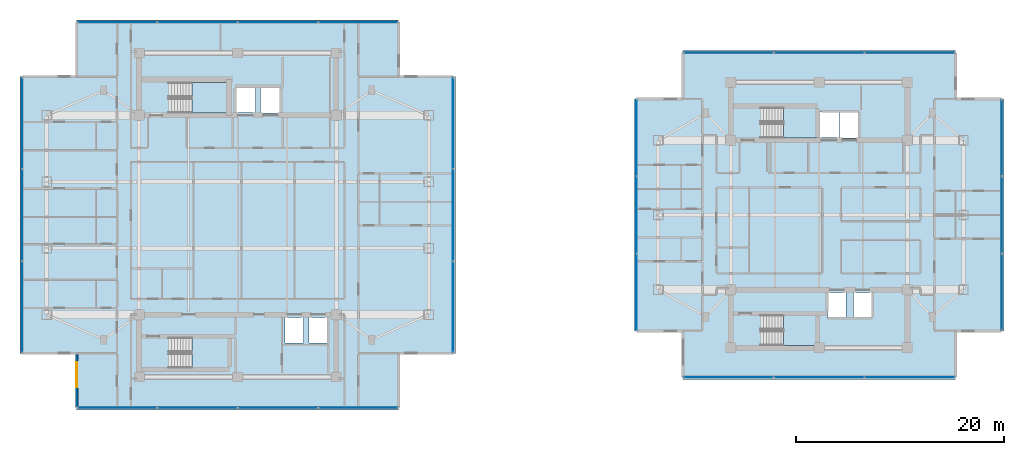
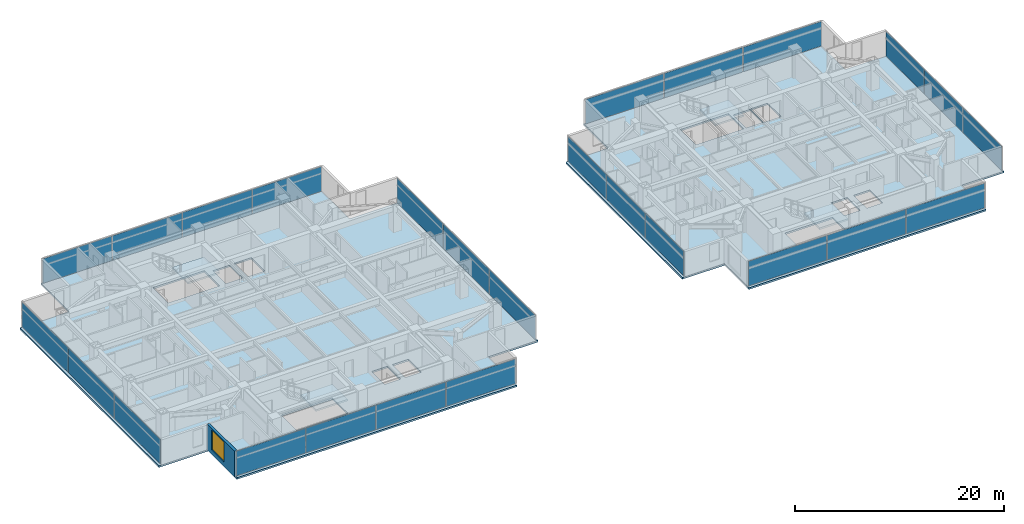
# One storey, part 11 of 24: 26 plates, 6 slabs, 1 wall, 1 window, 1 opening, 12 elements without a shape of their own.
"""IFC4 building model written with IfcOpenShell, lengths in metres."""

from ifc_helpers import new_model, si_unit, direction, frame, frame_2d, origin, origin_2d, place, context, subcontext, project, spatial, polyline, rectangle, outline, extrude, material, layer, layer_set, type_object, element, fill, aggregate, save


model = new_model("IFC4")

# Units and contexts
model_context = context("Model", 3, precision=1e-05, world=origin(), true_north=direction((0.0, 1.0)))
body_context = subcontext(model_context, "Body", "Model", "MODEL_VIEW")
ifc_project = project(units=[si_unit("LENGTHUNIT", "METRE"), si_unit("AREAUNIT", "SQUARE_METRE"), si_unit("VOLUMEUNIT", "CUBIC_METRE"), si_unit("PLANEANGLEUNIT", "RADIAN"), si_unit("MASSUNIT", "GRAM", prefix="KILO")], contexts=[model_context])

# Site, building, storey
site_placement = place(None, origin())
site = spatial("IfcSite", under=ifc_project, at=site_placement, CompositionType="ELEMENT")
building_placement = place(site_placement, origin())
building = spatial("IfcBuilding", under=site, at=building_placement, Name="Mirazonda Arch Towers", CompositionType="ELEMENT")
storey_placement = place(building_placement, frame((0.0, 0.0, 167.39990234375)))
storey = spatial("IfcBuildingStorey", under=building, at=storey_placement, Name="L47", CompositionType="ELEMENT", Elevation=167.39990234375)

# Curtain wall, plates
ifc_material_1 = material(Name="Anodised Aluminium and Low-E Glass", Category="aluminium")
curtain_wall_type = type_object("IfcCurtainWallType", Name="CW-RES-UNIT", PredefinedType="NOTDEFINED", material=ifc_material_1)
curtain_wall_1_placement = place(storey_placement, origin())
curtain_wall_1 = element("IfcCurtainWall", 1, at=curtain_wall_1_placement, inside=storey, type_object=curtain_wall_type, Name="L47 T1 S Facade CW-L47-T1-S", PredefinedType="NOTDEFINED")
ifc_material_2 = material(Name="Insulated Low-E Solar Glass", Category="glass")
ifc_layer_1 = layer(ifc_material_2, 0.0400390625, Name="PAN-CW-RES-UNIT")
ifc_layer_set_1 = layer_set([ifc_layer_1], Name="Insulated Low-E Solar Glass")
plate_type = type_object("IfcPlateType", Name="PAN-CW-RES-UNIT", PredefinedType="CURTAIN_PANEL", material=ifc_layer_set_1)
plate_1_placement = place(storey_placement, frame((32.110107421875, 9.43798828125, 0.0751953125), z_axis=(0.0, 0.0, 1.0), x_axis=(-1.0, 0.0, 0.0)))
plate_1 = element("IfcPlate", 2, at=plate_1_placement, type_object=plate_type, Name="CW-104 panel 1.1", PredefinedType="CURTAIN_PANEL", context=body_context, shape_type="SweptSolid", body=[
    extrude(rectangle(XDim=7.639892578125, YDim=0.0400390625, at=origin_2d()), origin(), (0.0, 0.0, 1.0), 2.8798828125),
])
plate_2_placement = place(storey_placement, frame((24.376220703125, 9.43798828125, 0.0751953125), z_axis=(0.0, 0.0, 1.0), x_axis=(-1.0, 0.0, 0.0)))
plate_2 = element("IfcPlate", 3, at=plate_2_placement, type_object=plate_type, Name="CW-104 panel 2.1", PredefinedType="CURTAIN_PANEL", context=body_context, shape_type="SweptSolid", body=[
    extrude(rectangle(XDim=7.677490234375, YDim=0.0400390625, at=origin_2d()), origin(), (0.0, 0.0, 1.0), 2.8798828125),
])
plate_3_placement = place(storey_placement, frame((16.623779296875, 9.43798828125, 0.0751953125), z_axis=(0.0, 0.0, 1.0), x_axis=(-1.0, 0.0, 0.0)))
plate_3 = element("IfcPlate", 4, at=plate_3_placement, type_object=plate_type, Name="CW-104 panel 3.1", PredefinedType="CURTAIN_PANEL", context=body_context, shape_type="SweptSolid", body=[
    extrude(rectangle(XDim=7.677490234375, YDim=0.0400390625, at=origin_2d()), origin(), (0.0, 0.0, 1.0), 2.8798828125),
])
plate_4_placement = place(storey_placement, frame((8.889892578125, 9.43798828125, 0.0751953125), z_axis=(0.0, 0.0, 1.0), x_axis=(-1.0, 0.0, 0.0)))
plate_4 = element("IfcPlate", 5, at=plate_4_placement, type_object=plate_type, Name="CW-104 panel 4.1", PredefinedType="CURTAIN_PANEL", context=body_context, shape_type="SweptSolid", body=[
    extrude(rectangle(XDim=7.639892578125, YDim=0.0400390625, at=origin_2d()), origin(), (0.0, 0.0, 1.0), 2.8798828125),
])
aggregate(curtain_wall_1, [plate_1, plate_2, plate_3, plate_4])

curtain_wall_2_placement = place(storey_placement, origin())
curtain_wall_2 = element("IfcCurtainWall", 6, at=curtain_wall_2_placement, inside=storey, type_object=curtain_wall_type, Name="L47 T1 E Facade CW-L47-T1-E", PredefinedType="NOTDEFINED")
plate_5_placement = place(storey_placement, frame((41.25, 19.140869140625, 0.0751953125), z_axis=(0.0, 0.0, 1.0), x_axis=(0.0, 1.0, 0.0)))
plate_5 = element("IfcPlate", 7, at=plate_5_placement, type_object=plate_type, Name="CW-104 panel 1.1", PredefinedType="CURTAIN_PANEL", context=body_context, shape_type="SweptSolid", body=[
    extrude(rectangle(XDim=8.765380859375, YDim=0.0400390625, at=origin_2d()), origin(), (0.0, 0.0, 1.0), 2.8798828125),
])
plate_6_placement = place(storey_placement, frame((41.25, 28.0, 0.0751953125), z_axis=(0.0, 0.0, 1.0), x_axis=(0.0, 1.0, 0.0)))
plate_6 = element("IfcPlate", 8, at=plate_6_placement, type_object=plate_type, Name="CW-104 panel 2.1", PredefinedType="CURTAIN_PANEL", context=body_context, shape_type="SweptSolid", body=[
    extrude(rectangle(XDim=8.802978515625, YDim=0.0400390625, at=origin_2d()), origin(), (0.0, 0.0, 1.0), 2.8798828125),
])
plate_7_placement = place(storey_placement, frame((41.25, 36.859130859375, 0.0751953125), z_axis=(0.0, 0.0, 1.0), x_axis=(0.0, 1.0, 0.0)))
plate_7 = element("IfcPlate", 9, at=plate_7_placement, type_object=plate_type, Name="CW-104 panel 3.1", PredefinedType="CURTAIN_PANEL", context=body_context, shape_type="SweptSolid", body=[
    extrude(rectangle(XDim=8.765380859375, YDim=0.0400390625, at=origin_2d()), origin(), (0.0, 0.0, 1.0), 2.8798828125),
])
aggregate(curtain_wall_2, [plate_5, plate_6, plate_7])

curtain_wall_3_placement = place(storey_placement, origin())
curtain_wall_3 = element("IfcCurtainWall", 10, at=curtain_wall_3_placement, inside=storey, type_object=curtain_wall_type, Name="L47 T1 N Facade CW-L47-T1-N", PredefinedType="NOTDEFINED")
plate_8_placement = place(storey_placement, frame((8.889892578125, 46.56201171875, 0.0751953125), z_axis=(0.0, 0.0, 1.0), x_axis=(1.0, 0.0, 0.0)))
plate_8 = element("IfcPlate", 11, at=plate_8_placement, type_object=plate_type, Name="CW-104 panel 1.1", PredefinedType="CURTAIN_PANEL", context=body_context, shape_type="SweptSolid", body=[
    extrude(rectangle(XDim=7.639892578125, YDim=0.0400390625, at=origin_2d()), origin(), (0.0, 0.0, 1.0), 2.8798828125),
])
plate_9_placement = place(storey_placement, frame((16.623779296875, 46.56201171875, 0.0751953125), z_axis=(0.0, 0.0, 1.0), x_axis=(1.0, 0.0, 0.0)))
plate_9 = element("IfcPlate", 12, at=plate_9_placement, type_object=plate_type, Name="CW-104 panel 2.1", PredefinedType="CURTAIN_PANEL", context=body_context, shape_type="SweptSolid", body=[
    extrude(rectangle(XDim=7.677490234375, YDim=0.0400390625, at=origin_2d()), origin(), (0.0, 0.0, 1.0), 2.8798828125),
])
plate_10_placement = place(storey_placement, frame((24.376220703125, 46.56201171875, 0.0751953125), z_axis=(0.0, 0.0, 1.0), x_axis=(1.0, 0.0, 0.0)))
plate_10 = element("IfcPlate", 13, at=plate_10_placement, type_object=plate_type, Name="CW-104 panel 3.1", PredefinedType="CURTAIN_PANEL", context=body_context, shape_type="SweptSolid", body=[
    extrude(rectangle(XDim=7.677490234375, YDim=0.0400390625, at=origin_2d()), origin(), (0.0, 0.0, 1.0), 2.8798828125),
])
plate_11_placement = place(storey_placement, frame((32.110107421875, 46.56201171875, 0.0751953125), z_axis=(0.0, 0.0, 1.0), x_axis=(1.0, 0.0, 0.0)))
plate_11 = element("IfcPlate", 14, at=plate_11_placement, type_object=plate_type, Name="CW-104 panel 4.1", PredefinedType="CURTAIN_PANEL", context=body_context, shape_type="SweptSolid", body=[
    extrude(rectangle(XDim=7.639892578125, YDim=0.0400390625, at=origin_2d()), origin(), (0.0, 0.0, 1.0), 2.8798828125),
])
aggregate(curtain_wall_3, [plate_8, plate_9, plate_10, plate_11])

curtain_wall_4_placement = place(storey_placement, origin())
curtain_wall_4 = element("IfcCurtainWall", 15, at=curtain_wall_4_placement, inside=storey, type_object=curtain_wall_type, Name="L47 T1 W Facade CW-L47-T1-W", PredefinedType="NOTDEFINED")
plate_12_placement = place(storey_placement, frame((-0.25, 36.859130859375, 0.0751953125), z_axis=(0.0, 0.0, 1.0), x_axis=(0.0, -1.0, 0.0)))
plate_12 = element("IfcPlate", 16, at=plate_12_placement, type_object=plate_type, Name="CW-104 panel 1.1", PredefinedType="CURTAIN_PANEL", context=body_context, shape_type="SweptSolid", body=[
    extrude(rectangle(XDim=8.765380859375, YDim=0.0400390625, at=origin_2d()), origin(), (0.0, 0.0, 1.0), 2.8798828125),
])
plate_13_placement = place(storey_placement, frame((-0.25, 28.0, 0.0751953125), z_axis=(0.0, 0.0, 1.0), x_axis=(0.0, -1.0, 0.0)))
plate_13 = element("IfcPlate", 17, at=plate_13_placement, type_object=plate_type, Name="CW-104 panel 2.1", PredefinedType="CURTAIN_PANEL", context=body_context, shape_type="SweptSolid", body=[
    extrude(rectangle(XDim=8.802978515625, YDim=0.0400390625, at=origin_2d()), origin(), (0.0, 0.0, 1.0), 2.8798828125),
])
plate_14_placement = place(storey_placement, frame((-0.25, 19.140869140625, 0.0751953125), z_axis=(0.0, 0.0, 1.0), x_axis=(0.0, -1.0, 0.0)))
plate_14 = element("IfcPlate", 18, at=plate_14_placement, type_object=plate_type, Name="CW-104 panel 3.1", PredefinedType="CURTAIN_PANEL", context=body_context, shape_type="SweptSolid", body=[
    extrude(rectangle(XDim=8.765380859375, YDim=0.0400390625, at=origin_2d()), origin(), (0.0, 0.0, 1.0), 2.8798828125),
])
aggregate(curtain_wall_4, [plate_12, plate_13, plate_14])

curtain_wall_5_placement = place(storey_placement, origin())
curtain_wall_5 = element("IfcCurtainWall", 19, at=curtain_wall_5_placement, inside=storey, type_object=curtain_wall_type, Name="L47 T2 S Facade CW-L47-T2-S", PredefinedType="NOTDEFINED")
plate_15_placement = place(storey_placement, frame((85.2275390625, 12.375244140625, 0.0751953125), z_axis=(0.0, 0.0, 1.0), x_axis=(-1.0, 0.0, 0.0)))
plate_15 = element("IfcPlate", 20, at=plate_15_placement, type_object=plate_type, Name="CW-104 panel 1.1", PredefinedType="CURTAIN_PANEL", context=body_context, shape_type="SweptSolid", body=[
    extrude(rectangle(XDim=8.6337890625, YDim=0.0400390625, at=origin_2d()), origin(), (0.0, 0.0, 1.0), 2.8798828125),
])
plate_16_placement = place(storey_placement, frame((76.5, 12.375244140625, 0.0751953125), z_axis=(0.0, 0.0, 1.0), x_axis=(-1.0, 0.0, 0.0)))
plate_16 = element("IfcPlate", 21, at=plate_16_placement, type_object=plate_type, Name="CW-104 panel 2.1", PredefinedType="CURTAIN_PANEL", context=body_context, shape_type="SweptSolid", body=[
    extrude(rectangle(XDim=8.671142578125, YDim=0.0400390625, at=origin_2d()), origin(), (0.0, 0.0, 1.0), 2.8798828125),
])
plate_17_placement = place(storey_placement, frame((67.7724609375, 12.375244140625, 0.0751953125), z_axis=(0.0, 0.0, 1.0), x_axis=(-1.0, 0.0, 0.0)))
plate_17 = element("IfcPlate", 22, at=plate_17_placement, type_object=plate_type, Name="CW-104 panel 3.1", PredefinedType="CURTAIN_PANEL", context=body_context, shape_type="SweptSolid", body=[
    extrude(rectangle(XDim=8.6337890625, YDim=0.0400390625, at=origin_2d()), origin(), (0.0, 0.0, 1.0), 2.8798828125),
])
aggregate(curtain_wall_5, [plate_15, plate_16, plate_17])

curtain_wall_6_placement = place(storey_placement, origin())
curtain_wall_6 = element("IfcCurtainWall", 23, at=curtain_wall_6_placement, inside=storey, type_object=curtain_wall_type, Name="L47 T2 E Facade CW-L47-T2-E", PredefinedType="NOTDEFINED")
plate_18_placement = place(storey_placement, frame((94.08447265625, 20.5791015625, 0.0751953125), z_axis=(0.0, 0.0, 1.0), x_axis=(0.0, 1.0, 0.0)))
plate_18 = element("IfcPlate", 24, at=plate_18_placement, type_object=plate_type, Name="CW-104 panel 1.1", PredefinedType="CURTAIN_PANEL", context=body_context, shape_type="SweptSolid", body=[
    extrude(rectangle(XDim=7.3271484375, YDim=0.0400390625, at=origin_2d()), origin(), (0.0, 0.0, 1.0), 2.8798828125),
])
plate_19_placement = place(storey_placement, frame((94.08447265625, 28.0, 0.0751953125), z_axis=(0.0, 0.0, 1.0), x_axis=(0.0, 1.0, 0.0)))
plate_19 = element("IfcPlate", 25, at=plate_19_placement, type_object=plate_type, Name="CW-104 panel 2.1", PredefinedType="CURTAIN_PANEL", context=body_context, shape_type="SweptSolid", body=[
    extrude(rectangle(XDim=7.36474609375, YDim=0.0400390625, at=origin_2d()), origin(), (0.0, 0.0, 1.0), 2.8798828125),
])
plate_20_placement = place(storey_placement, frame((94.08447265625, 35.4208984375, 0.0751953125), z_axis=(0.0, 0.0, 1.0), x_axis=(0.0, 1.0, 0.0)))
plate_20 = element("IfcPlate", 26, at=plate_20_placement, type_object=plate_type, Name="CW-104 panel 3.1", PredefinedType="CURTAIN_PANEL", context=body_context, shape_type="SweptSolid", body=[
    extrude(rectangle(XDim=7.3271484375, YDim=0.0400390625, at=origin_2d()), origin(), (0.0, 0.0, 1.0), 2.8798828125),
])
aggregate(curtain_wall_6, [plate_18, plate_19, plate_20])

curtain_wall_7_placement = place(storey_placement, origin())
curtain_wall_7 = element("IfcCurtainWall", 27, at=curtain_wall_7_placement, inside=storey, type_object=curtain_wall_type, Name="L47 T2 N Facade CW-L47-T2-N", PredefinedType="NOTDEFINED")
plate_21_placement = place(storey_placement, frame((67.7724609375, 43.624755859375, 0.0751953125), z_axis=(0.0, 0.0, 1.0), x_axis=(1.0, 0.0, 0.0)))
plate_21 = element("IfcPlate", 28, at=plate_21_placement, type_object=plate_type, Name="CW-104 panel 1.1", PredefinedType="CURTAIN_PANEL", context=body_context, shape_type="SweptSolid", body=[
    extrude(rectangle(XDim=8.6337890625, YDim=0.0400390625, at=origin_2d()), origin(), (0.0, 0.0, 1.0), 2.8798828125),
])
plate_22_placement = place(storey_placement, frame((76.5, 43.624755859375, 0.0751953125), z_axis=(0.0, 0.0, 1.0), x_axis=(1.0, 0.0, 0.0)))
plate_22 = element("IfcPlate", 29, at=plate_22_placement, type_object=plate_type, Name="CW-104 panel 2.1", PredefinedType="CURTAIN_PANEL", context=body_context, shape_type="SweptSolid", body=[
    extrude(rectangle(XDim=8.671142578125, YDim=0.0400390625, at=origin_2d()), origin(), (0.0, 0.0, 1.0), 2.8798828125),
])
plate_23_placement = place(storey_placement, frame((85.2275390625, 43.624755859375, 0.0751953125), z_axis=(0.0, 0.0, 1.0), x_axis=(1.0, 0.0, 0.0)))
plate_23 = element("IfcPlate", 30, at=plate_23_placement, type_object=plate_type, Name="CW-104 panel 3.1", PredefinedType="CURTAIN_PANEL", context=body_context, shape_type="SweptSolid", body=[
    extrude(rectangle(XDim=8.6337890625, YDim=0.0400390625, at=origin_2d()), origin(), (0.0, 0.0, 1.0), 2.8798828125),
])
aggregate(curtain_wall_7, [plate_21, plate_22, plate_23])

curtain_wall_8_placement = place(storey_placement, origin())
curtain_wall_8 = element("IfcCurtainWall", 31, at=curtain_wall_8_placement, inside=storey, type_object=curtain_wall_type, Name="L47 T2 W Facade CW-L47-T2-W", PredefinedType="NOTDEFINED")
plate_24_placement = place(storey_placement, frame((58.91552734375, 35.4208984375, 0.0751953125), z_axis=(0.0, 0.0, 1.0), x_axis=(0.0, -1.0, 0.0)))
plate_24 = element("IfcPlate", 32, at=plate_24_placement, type_object=plate_type, Name="CW-104 panel 1.1", PredefinedType="CURTAIN_PANEL", context=body_context, shape_type="SweptSolid", body=[
    extrude(rectangle(XDim=7.3271484375, YDim=0.0400390625, at=origin_2d()), origin(), (0.0, 0.0, 1.0), 2.8798828125),
])
plate_25_placement = place(storey_placement, frame((58.91552734375, 28.0, 0.0751953125), z_axis=(0.0, 0.0, 1.0), x_axis=(0.0, -1.0, 0.0)))
plate_25 = element("IfcPlate", 33, at=plate_25_placement, type_object=plate_type, Name="CW-104 panel 2.1", PredefinedType="CURTAIN_PANEL", context=body_context, shape_type="SweptSolid", body=[
    extrude(rectangle(XDim=7.36474609375, YDim=0.0400390625, at=origin_2d()), origin(), (0.0, 0.0, 1.0), 2.8798828125),
])
plate_26_placement = place(storey_placement, frame((58.91552734375, 20.5791015625, 0.0751953125), z_axis=(0.0, 0.0, 1.0), x_axis=(0.0, -1.0, 0.0)))
plate_26 = element("IfcPlate", 34, at=plate_26_placement, type_object=plate_type, Name="CW-104 panel 3.1", PredefinedType="CURTAIN_PANEL", context=body_context, shape_type="SweptSolid", body=[
    extrude(rectangle(XDim=7.3271484375, YDim=0.0400390625, at=origin_2d()), origin(), (0.0, 0.0, 1.0), 2.8798828125),
])
aggregate(curtain_wall_8, [plate_24, plate_25, plate_26])

# Stair, slab
ifc_material_3 = material(Name="Concrete C40/50", Category="concrete")
stair_type = type_object("IfcStairType", Name="STAIR-CORE-1400", PredefinedType="HALF_TURN_STAIR", material=ifc_material_3)
stair_1_placement = place(storey_placement, origin())
stair_1 = element("IfcStair", 35, at=stair_1_placement, inside=storey, type_object=stair_type, Name="L47 Protected Exit Stair ST-T1N", PredefinedType="HALF_TURN_STAIR")
ifc_layer_2 = layer(ifc_material_3, 0.18994140625, Name="SLAB-LANDING-190")
ifc_layer_set_2 = layer_set([ifc_layer_2], Name="Concrete C40/50")
slab_type_1 = type_object("IfcSlabType", Name="SLAB-LANDING-190", PredefinedType="LANDING", material=ifc_layer_set_2)
slab_1_placement = place(storey_placement, frame((0.0, 0.0, 1.425048828125)))
slab_1 = element("IfcSlab", 36, at=slab_1_placement, type_object=slab_type_1, Name="ST-T1N landing 1", PredefinedType="LANDING", context=body_context, shape_type="SweptSolid", body=[
    extrude(outline(polyline([(16.090087890625, 37.820068359375), (19.60009765625, 37.820068359375), (19.60009765625, 40.760009765625), (16.090087890625, 40.760009765625), (16.090087890625, 37.820068359375)])), origin(), (0.0, 0.0, 1.0), 0.199951171875),
])
aggregate(stair_1, [slab_1])

stair_2_placement = place(storey_placement, origin())
stair_2 = element("IfcStair", 37, at=stair_2_placement, inside=storey, type_object=stair_type, Name="L47 Protected Exit Stair ST-T1S", PredefinedType="HALF_TURN_STAIR")
slab_2_placement = place(storey_placement, frame((0.0, 0.0, 1.425048828125)))
slab_2 = element("IfcSlab", 38, at=slab_2_placement, type_object=slab_type_1, Name="ST-T1S landing 1", PredefinedType="LANDING", context=body_context, shape_type="SweptSolid", body=[
    extrude(outline(polyline([(16.090087890625, 13.25), (19.60009765625, 13.25), (19.60009765625, 16.18994140625), (16.090087890625, 16.18994140625), (16.090087890625, 13.25)])), origin(), (0.0, 0.0, 1.0), 0.199951171875),
])
aggregate(stair_2, [slab_2])

stair_3_placement = place(storey_placement, origin())
stair_3 = element("IfcStair", 39, at=stair_3_placement, inside=storey, type_object=stair_type, Name="L47 Protected Exit Stair ST-T2N", PredefinedType="HALF_TURN_STAIR")
slab_3_placement = place(storey_placement, frame((0.0, 0.0, 1.425048828125)))
slab_3 = element("IfcSlab", 40, at=slab_3_placement, type_object=slab_type_1, Name="ST-T2N landing 1", PredefinedType="LANDING", context=body_context, shape_type="SweptSolid", body=[
    extrude(outline(polyline([(73.090087890625, 35.419921875), (76.22998046875, 35.419921875), (76.22998046875, 38.360107421875), (73.090087890625, 38.360107421875), (73.090087890625, 35.419921875)])), origin(), (0.0, 0.0, 1.0), 0.199951171875),
])
aggregate(stair_3, [slab_3])

stair_4_placement = place(storey_placement, origin())
stair_4 = element("IfcStair", 41, at=stair_4_placement, inside=storey, type_object=stair_type, Name="L47 Protected Exit Stair ST-T2S", PredefinedType="HALF_TURN_STAIR")
slab_4_placement = place(storey_placement, frame((0.0, 0.0, 1.425048828125)))
slab_4 = element("IfcSlab", 42, at=slab_4_placement, type_object=slab_type_1, Name="ST-T2S landing 1", PredefinedType="LANDING", context=body_context, shape_type="SweptSolid", body=[
    extrude(outline(polyline([(73.090087890625, 15.419921875), (76.22998046875, 15.419921875), (76.22998046875, 18.360107421875), (73.090087890625, 18.360107421875), (73.090087890625, 15.419921875)])), origin(), (0.0, 0.0, 1.0), 0.199951171875),
])
aggregate(stair_4, [slab_4])

# Slabs
ifc_layer_3 = layer(ifc_material_3, 0.199951171875, Name="SLAB-TWR-200")
ifc_layer_set_3 = layer_set([ifc_layer_3], Name="Concrete C40/50")
slab_type_2 = type_object("IfcSlabType", Name="SLAB-TWR-200", PredefinedType="FLOOR", material=ifc_layer_set_3)
slab_5_placement = place(storey_placement, frame((0.0, 0.0, -0.199951171875)))
element("IfcSlab", 43, at=slab_5_placement, inside=storey, type_object=slab_type_2, Name="L47 Tower 1 Floor Slab", PredefinedType="FLOOR", context=body_context, shape_type="SweptSolid", body=[
    extrude(outline(polyline([(4.9951171875, 9.218017578125), (36.0048828125, 9.218017578125), (36.0048828125, 14.68310546875), (41.469970703125, 14.68310546875), (41.469970703125, 41.31689453125), (36.0048828125, 41.31689453125), (36.0048828125, 46.781982421875), (4.9951171875, 46.781982421875), (4.9951171875, 41.31689453125), (-0.469970703125, 41.31689453125), (-0.469970703125, 14.68310546875), (4.9951171875, 14.68310546875), (4.9951171875, 9.218017578125)]), holes=[polyline([(27.360107421875, 18.139892578125), (29.139892578125, 18.139892578125), (29.139892578125, 15.659912109375), (27.360107421875, 15.659912109375), (27.360107421875, 18.139892578125)]), polyline([(25.06005859375, 18.139892578125), (26.840087890625, 18.139892578125), (26.840087890625, 15.659912109375), (25.06005859375, 15.659912109375), (25.06005859375, 18.139892578125)]), polyline([(22.7099609375, 40.389892578125), (24.590087890625, 40.389892578125), (24.590087890625, 37.81005859375), (22.7099609375, 37.81005859375), (22.7099609375, 40.389892578125)]), polyline([(20.31005859375, 37.860107421875), (20.31005859375, 40.340087890625), (22.18994140625, 40.340087890625), (22.18994140625, 37.860107421875), (20.31005859375, 37.860107421875)]), polyline([(19.60009765625, 13.25), (13.925048828125, 13.25), (13.925048828125, 16.18994140625), (19.60009765625, 16.18994140625), (19.60009765625, 13.25)]), polyline([(13.925048828125, 37.820068359375), (13.925048828125, 40.760009765625), (19.60009765625, 40.760009765625), (19.60009765625, 37.820068359375), (13.925048828125, 37.820068359375)])]), origin(), (0.0, 0.0, 1.0), 0.199951171875),
])
slab_6_placement = place(storey_placement, frame((0.0, 0.0, -0.199951171875)))
element("IfcSlab", 44, at=slab_6_placement, inside=storey, type_object=slab_type_2, Name="L47 Tower 2 Floor Slab", PredefinedType="FLOOR", context=body_context, shape_type="SweptSolid", body=[
    extrude(outline(polyline([(63.380615234375, 12.1552734375), (89.619384765625, 12.1552734375), (89.619384765625, 16.840576171875), (94.304443359375, 16.840576171875), (94.304443359375, 39.159423828125), (89.619384765625, 39.159423828125), (89.619384765625, 43.8447265625), (63.380615234375, 43.8447265625), (63.380615234375, 39.159423828125), (58.695556640625, 39.159423828125), (58.695556640625, 16.840576171875), (63.380615234375, 16.840576171875), (63.380615234375, 12.1552734375)]), holes=[polyline([(79.81005859375, 20.5400390625), (81.590087890625, 20.5400390625), (81.590087890625, 18.06005859375), (79.81005859375, 18.06005859375), (79.81005859375, 20.5400390625)]), polyline([(78.47998046875, 37.989990234375), (80.360107421875, 37.989990234375), (80.360107421875, 35.409912109375), (78.47998046875, 35.409912109375), (78.47998046875, 37.989990234375)]), polyline([(77.31005859375, 20.5400390625), (79.090087890625, 20.5400390625), (79.090087890625, 18.06005859375), (77.31005859375, 18.06005859375), (77.31005859375, 20.5400390625)]), polyline([(76.510009765625, 35.4599609375), (76.510009765625, 37.93994140625), (78.389892578125, 37.93994140625), (78.389892578125, 35.4599609375), (76.510009765625, 35.4599609375)]), polyline([(76.22998046875, 15.419921875), (70.925048828125, 15.419921875), (70.925048828125, 18.360107421875), (76.22998046875, 18.360107421875), (76.22998046875, 15.419921875)]), polyline([(70.925048828125, 35.419921875), (70.925048828125, 38.360107421875), (76.22998046875, 38.360107421875), (76.22998046875, 35.419921875), (70.925048828125, 35.419921875)])]), origin(), (0.0, 0.0, 1.0), 0.199951171875),
])

# Wall, opening, window
ifc_material_4 = material(Name="Precast Concrete C40/50", Category="concrete")
ifc_layer_4 = layer(ifc_material_4, 0.280029296875, Name="WALL-EXT-WALL-280")
ifc_layer_set_4 = layer_set([ifc_layer_4], Name="Precast Concrete C40/50")
wall_type = type_object("IfcWallType", Name="WALL-EXT-WALL-280", PredefinedType="SOLIDWALL", material=ifc_layer_set_4)
wall_placement = place(storey_placement, frame((4.9951171875, 14.68310546875, 0.0), z_axis=(0.0, 0.0, 1.0), x_axis=(0.0, -1.0, 0.0)))
wall = element("IfcWall", 45, at=wall_placement, inside=storey, type_object=wall_type, Name="L47 T1 Notched SW Corner Wall WL-L47-T1-CSW", PredefinedType="SOLIDWALL", context=body_context, shape_type="SweptSolid", body=[
    extrude(rectangle(XDim=5.2451171875, YDim=0.280029296875, at=frame_2d((2.62255859375, 0.0))), origin(), (0.0, 0.0, 1.0), 3.030029296875),
])
opening_placement = place(wall_placement, frame((0.85009765625, 0.0, 0.530029296875)))
opening = element("IfcOpeningElement", 46, at=opening_placement, cuts=wall, Name="Opening WN-121", PredefinedType="OPENING", context=body_context, shape_type="SweptSolid", body=[
    extrude(rectangle(XDim=2.39990234375, YDim=2.35009765625, at=frame_2d((1.199951171875, 1.175048828125))), frame((0.0, 0.14990234375, 0.0), z_axis=(0.0, -1.0, 0.0), x_axis=(1.0, 0.0, 0.0)), (0.0, 0.0, 1.0), 0.300048828125),
])
window_type = type_object("IfcWindowType", Name="WIN-PENT-2400x2350", PartitioningType="SINGLE_PANEL", PredefinedType="WINDOW", material=ifc_material_2)
window_placement = place(opening_placement, origin())
window = element("IfcWindow", 47, at=window_placement, inside=storey, type_object=window_type, Name="L47 Punched Facade Window WN-L47-T1-CSW", OverallHeight=2.35009765625, OverallWidth=2.39990234375, PartitioningType="SINGLE_PANEL", PredefinedType="WINDOW", context=body_context, shape_type="SweptSolid", body=[
    extrude(rectangle(XDim=2.39990234375, YDim=2.35009765625, at=frame_2d((1.199951171875, 1.175048828125))), frame((0.0, 0.030029296875, 0.0), z_axis=(0.0, -1.0, 0.0), x_axis=(1.0, 0.0, 0.0)), (0.0, 0.0, 1.0), 0.06005859375),
])
fill(opening, window)

save(model, "model.ifc")
